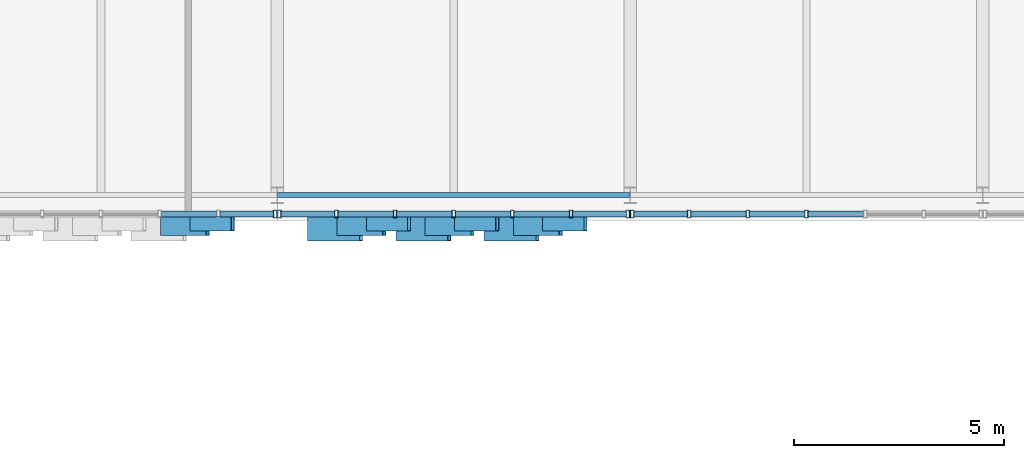
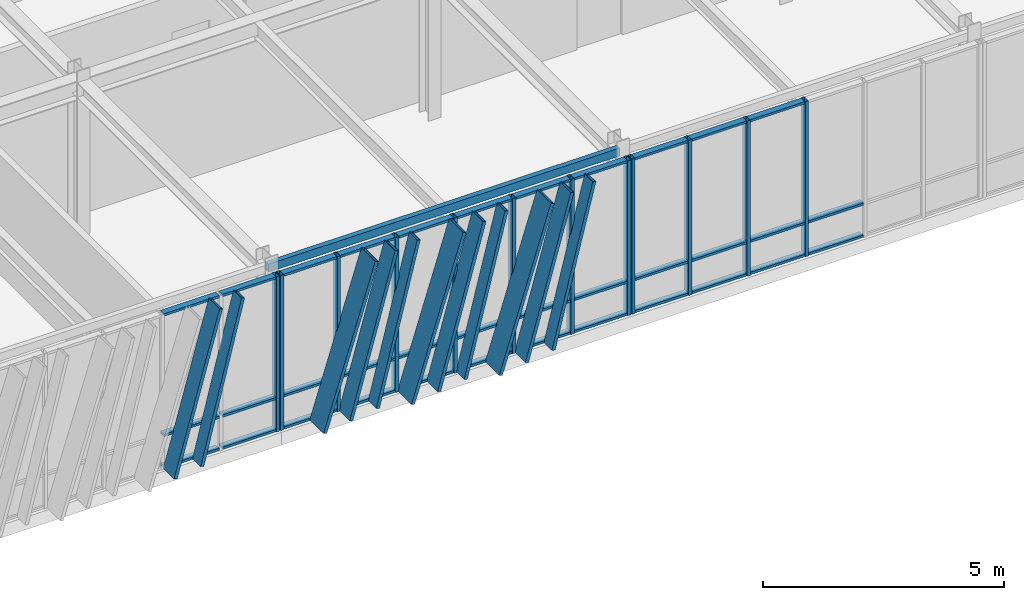
# One storey, part 24 of 127: 58 members, 1 beam, 3 elements without a shape of their own.
"""IFC4 building model written with IfcOpenShell, lengths in metres."""

from ifc_helpers import new_model, si_unit, direction, frame, origin, origin_2d, place, context, subcontext, project, spatial, hollow_rectangle, extrude, material, layer, layer_set, material_profile, profile_set, type_object, element, aggregate, save


model = new_model("IFC4")

# Units and contexts
model_context = context("Model", 3, precision=1e-05, world=origin(), true_north=direction((0.0, 1.0)))
body_context = subcontext(model_context, "Body", "Model", "MODEL_VIEW")
ifc_project = project(units=[si_unit("LENGTHUNIT", "METRE"), si_unit("AREAUNIT", "SQUARE_METRE"), si_unit("VOLUMEUNIT", "CUBIC_METRE"), si_unit("PLANEANGLEUNIT", "RADIAN"), si_unit("MASSUNIT", "GRAM", prefix="KILO")], contexts=[model_context])

# Site, building, storey
site_placement = place(None, origin())
site = spatial("IfcSite", under=ifc_project, at=site_placement, CompositionType="ELEMENT")
building_placement = place(site_placement, origin())
building = spatial("IfcBuilding", under=site, at=building_placement, Name="Zayran Congress Hotel", CompositionType="ELEMENT")
storey_placement = place(building_placement, frame((0.0, 0.0, 10.800048828125)))
storey = spatial("IfcBuildingStorey", under=building, at=storey_placement, Name="L02", CompositionType="ELEMENT", Elevation=10.800048828125)

# Beam
ifc_material_1 = material(Name="Steel S355", Category="steel")
ifc_material_profile_1 = material_profile(ifc_material_1, hollow_rectangle(XDim=0.1201171875, YDim=0.199951171875, WallThickness=0.008056640625, at=origin_2d()), Name="RHS 200x120x8")
ifc_profile_set_1 = profile_set([ifc_material_profile_1], Name="Steel S355")
beam_type = type_object("IfcBeamType", Name="TP-SP-02", PredefinedType="SPANDREL", material=ifc_profile_set_1)
beam_placement = place(storey_placement, frame((50.39990234375, 68.199951171875, 3.820068359375), z_axis=(1.0, 0.0, 0.0), x_axis=(0.0, 1.0, 0.0)))
element("IfcBeam", 1, at=beam_placement, inside=storey, type_object=beam_type, Name="BM-V1-L02-0657", PredefinedType="SPANDREL", context=body_context, shape_type="SweptSolid", body=[
    extrude(hollow_rectangle(XDim=0.1201171875, YDim=0.199951171875, WallThickness=0.008056640625, at=origin_2d()), origin(), (0.0, 0.0, 1.0), 8.400146484375),
])

# Curtain wall, member
ifc_material_2 = material(Name="Anodised aluminium and low-E insulated glass", Category="aluminium")
ifc_layer_1 = layer(ifc_material_2, 0.179931640625)
ifc_layer_set_1 = layer_set([ifc_layer_1], Name="Anodised aluminium and low-E insulated glass")
curtain_wall_type_1 = type_object("IfcCurtainWallType", Name="CW-V1S-L02-CW-12-8380-3920", PredefinedType="USERDEFINED", material=ifc_layer_set_1)
curtain_wall_1_placement = place(storey_placement, origin())
curtain_wall_1 = element("IfcCurtainWall", 2, at=curtain_wall_1_placement, inside=storey, type_object=curtain_wall_type_1, Name="CW-V1S-L02-4", ObjectType="CURTAIN WALL", PredefinedType="USERDEFINED")
ifc_material_3 = material(Name="Anodised aluminium framing", Category="aluminium")
ifc_material_profile_2 = material_profile(ifc_material_3, hollow_rectangle(XDim=0.080078125, YDim=0.179931640625, WallThickness=0.0048828125, at=origin_2d()), Name="RHS 180x80x5")
ifc_profile_set_2 = profile_set([ifc_material_profile_2], Name="Anodised aluminium framing")
member_type_1 = type_object("IfcMemberType", Name="TP-CWM-01", PredefinedType="MULLION", material=ifc_profile_set_2)
member_1_placement = place(storey_placement, frame((50.35009765625, 67.75, 0.0), z_axis=(0.0, 0.0, 1.0), x_axis=(1.0, 0.0, 0.0)))
member_1 = element("IfcMember", 3, at=member_1_placement, type_object=member_type_1, Name="CW-V1S-L02-4-M06", PredefinedType="MULLION", context=body_context, shape_type="SweptSolid", body=[
    extrude(hollow_rectangle(XDim=0.080078125, YDim=0.179931640625, WallThickness=0.0048828125, at=origin_2d()), origin(), (0.0, 0.0, 1.0), 3.919921875),
])

# Curtain wall, members
ifc_layer_2 = layer(ifc_material_2, 0.179931640625)
ifc_layer_set_2 = layer_set([ifc_layer_2], Name="Anodised aluminium and low-E insulated glass")
curtain_wall_type_2 = type_object("IfcCurtainWallType", Name="CW-V1S-L02-CW-13-8380-3920", PredefinedType="USERDEFINED", material=ifc_layer_set_2)
curtain_wall_2_placement = place(storey_placement, origin())
curtain_wall_2 = element("IfcCurtainWall", 4, at=curtain_wall_2_placement, inside=storey, type_object=curtain_wall_type_2, Name="CW-V1S-L02-5", ObjectType="CURTAIN WALL", PredefinedType="USERDEFINED")
member_2_placement = place(storey_placement, frame((50.449951171875, 67.75, 0.0), z_axis=(0.0, 0.0, 1.0), x_axis=(1.0, 0.0, 0.0)))
member_2 = element("IfcMember", 5, at=member_2_placement, type_object=member_type_1, Name="CW-V1S-L02-5-M00", PredefinedType="MULLION", context=body_context, shape_type="SweptSolid", body=[
    extrude(hollow_rectangle(XDim=0.080078125, YDim=0.179931640625, WallThickness=0.0048828125, at=origin_2d()), origin(), (0.0, 0.0, 1.0), 3.919921875),
])
member_3_placement = place(storey_placement, frame((51.806640625, 67.75, 0.0), z_axis=(0.0, 0.0, 1.0), x_axis=(1.0, 0.0, 0.0)))
member_3 = element("IfcMember", 6, at=member_3_placement, type_object=member_type_1, Name="CW-V1S-L02-5-M01", PredefinedType="MULLION", context=body_context, shape_type="SweptSolid", body=[
    extrude(hollow_rectangle(XDim=0.080078125, YDim=0.179931640625, WallThickness=0.0048828125, at=origin_2d()), origin(), (0.0, 0.0, 1.0), 3.919921875),
])
member_4_placement = place(storey_placement, frame((53.203369140625, 67.75, 0.0), z_axis=(0.0, 0.0, 1.0), x_axis=(1.0, 0.0, 0.0)))
member_4 = element("IfcMember", 7, at=member_4_placement, type_object=member_type_1, Name="CW-V1S-L02-5-M02", PredefinedType="MULLION", context=body_context, shape_type="SweptSolid", body=[
    extrude(hollow_rectangle(XDim=0.080078125, YDim=0.179931640625, WallThickness=0.0048828125, at=origin_2d()), origin(), (0.0, 0.0, 1.0), 3.919921875),
])
member_5_placement = place(storey_placement, frame((54.60009765625, 67.75, 0.0), z_axis=(0.0, 0.0, 1.0), x_axis=(1.0, 0.0, 0.0)))
member_5 = element("IfcMember", 8, at=member_5_placement, type_object=member_type_1, Name="CW-V1S-L02-5-M03", PredefinedType="MULLION", context=body_context, shape_type="SweptSolid", body=[
    extrude(hollow_rectangle(XDim=0.080078125, YDim=0.179931640625, WallThickness=0.0048828125, at=origin_2d()), origin(), (0.0, 0.0, 1.0), 3.919921875),
])
member_6_placement = place(storey_placement, frame((55.99658203125, 67.75, 0.0), z_axis=(0.0, 0.0, 1.0), x_axis=(1.0, 0.0, 0.0)))
member_6 = element("IfcMember", 9, at=member_6_placement, type_object=member_type_1, Name="CW-V1S-L02-5-M04", PredefinedType="MULLION", context=body_context, shape_type="SweptSolid", body=[
    extrude(hollow_rectangle(XDim=0.080078125, YDim=0.179931640625, WallThickness=0.0048828125, at=origin_2d()), origin(), (0.0, 0.0, 1.0), 3.919921875),
])
member_7_placement = place(storey_placement, frame((57.393310546875, 67.75, 0.0), z_axis=(0.0, 0.0, 1.0), x_axis=(1.0, 0.0, 0.0)))
member_7 = element("IfcMember", 10, at=member_7_placement, type_object=member_type_1, Name="CW-V1S-L02-5-M05", PredefinedType="MULLION", context=body_context, shape_type="SweptSolid", body=[
    extrude(hollow_rectangle(XDim=0.080078125, YDim=0.179931640625, WallThickness=0.0048828125, at=origin_2d()), origin(), (0.0, 0.0, 1.0), 3.919921875),
])
member_8_placement = place(storey_placement, frame((58.75, 67.75, 0.0), z_axis=(0.0, 0.0, 1.0), x_axis=(1.0, 0.0, 0.0)))
member_8 = element("IfcMember", 11, at=member_8_placement, type_object=member_type_1, Name="CW-V1S-L02-5-M06", PredefinedType="MULLION", context=body_context, shape_type="SweptSolid", body=[
    extrude(hollow_rectangle(XDim=0.080078125, YDim=0.179931640625, WallThickness=0.0048828125, at=origin_2d()), origin(), (0.0, 0.0, 1.0), 3.919921875),
])

ifc_layer_3 = layer(ifc_material_2, 0.179931640625)
ifc_layer_set_3 = layer_set([ifc_layer_3], Name="Anodised aluminium and low-E insulated glass")
curtain_wall_type_3 = type_object("IfcCurtainWallType", Name="CW-V1S-L02-CW-11-8380-3920", PredefinedType="USERDEFINED", material=ifc_layer_set_3)
curtain_wall_3_placement = place(storey_placement, origin())
curtain_wall_3 = element("IfcCurtainWall", 12, at=curtain_wall_3_placement, inside=storey, type_object=curtain_wall_type_3, Name="CW-V1S-L02-6", ObjectType="CURTAIN WALL", PredefinedType="USERDEFINED")
member_9_placement = place(storey_placement, frame((58.85009765625, 67.75, 0.0), z_axis=(0.0, 0.0, 1.0), x_axis=(1.0, 0.0, 0.0)))
member_9 = element("IfcMember", 13, at=member_9_placement, type_object=member_type_1, Name="CW-V1S-L02-6-M00", PredefinedType="MULLION", context=body_context, shape_type="SweptSolid", body=[
    extrude(hollow_rectangle(XDim=0.080078125, YDim=0.179931640625, WallThickness=0.0048828125, at=origin_2d()), origin(), (0.0, 0.0, 1.0), 3.919921875),
])
member_10_placement = place(storey_placement, frame((60.206787109375, 67.75, 0.0), z_axis=(0.0, 0.0, 1.0), x_axis=(1.0, 0.0, 0.0)))
member_10 = element("IfcMember", 14, at=member_10_placement, type_object=member_type_1, Name="CW-V1S-L02-6-M01", PredefinedType="MULLION", context=body_context, shape_type="SweptSolid", body=[
    extrude(hollow_rectangle(XDim=0.080078125, YDim=0.179931640625, WallThickness=0.0048828125, at=origin_2d()), origin(), (0.0, 0.0, 1.0), 3.919921875),
])
member_11_placement = place(storey_placement, frame((61.603271484375, 67.75, 0.0), z_axis=(0.0, 0.0, 1.0), x_axis=(1.0, 0.0, 0.0)))
member_11 = element("IfcMember", 15, at=member_11_placement, type_object=member_type_1, Name="CW-V1S-L02-6-M02", PredefinedType="MULLION", context=body_context, shape_type="SweptSolid", body=[
    extrude(hollow_rectangle(XDim=0.080078125, YDim=0.179931640625, WallThickness=0.0048828125, at=origin_2d()), origin(), (0.0, 0.0, 1.0), 3.919921875),
])
member_12_placement = place(storey_placement, frame((63.0, 67.75, 0.0), z_axis=(0.0, 0.0, 1.0), x_axis=(1.0, 0.0, 0.0)))
member_12 = element("IfcMember", 16, at=member_12_placement, type_object=member_type_1, Name="CW-V1S-L02-6-M03", PredefinedType="MULLION", context=body_context, shape_type="SweptSolid", body=[
    extrude(hollow_rectangle(XDim=0.080078125, YDim=0.179931640625, WallThickness=0.0048828125, at=origin_2d()), origin(), (0.0, 0.0, 1.0), 3.919921875),
])

# Member
ifc_material_profile_3 = material_profile(ifc_material_3, hollow_rectangle(XDim=0.06005859375, YDim=0.14990234375, WallThickness=0.00390625, at=origin_2d()), Name="RHS 150x60x4")
ifc_profile_set_3 = profile_set([ifc_material_profile_3], Name="Anodised aluminium framing")
member_type_2 = type_object("IfcMemberType", Name="TP-CWT-01", PredefinedType="USERDEFINED", material=ifc_profile_set_3)
member_13_placement = place(storey_placement, frame((47.63671875, 67.75, 0.030029296875), z_axis=(1.0, 0.0, 0.0), x_axis=(0.0, 0.0, 1.0)))
member_13 = element("IfcMember", 17, at=member_13_placement, type_object=member_type_2, Name="CW-V1S-L02-4-T04-0", ObjectType="TRANSOM", PredefinedType="USERDEFINED", context=body_context, shape_type="SweptSolid", body=[
    extrude(hollow_rectangle(XDim=0.06005859375, YDim=0.14990234375, WallThickness=0.00390625, at=origin_2d()), origin(), (0.0, 0.0, 1.0), 1.316650390625),
])

member_14_placement = place(storey_placement, frame((47.63671875, 67.75, 0.83984375), z_axis=(1.0, 0.0, 0.0), x_axis=(0.0, 0.0, 1.0)))
member_14 = element("IfcMember", 18, at=member_14_placement, type_object=member_type_2, Name="CW-V1S-L02-4-T04-1", ObjectType="TRANSOM", PredefinedType="USERDEFINED", context=body_context, shape_type="SweptSolid", body=[
    extrude(hollow_rectangle(XDim=0.06005859375, YDim=0.14990234375, WallThickness=0.00390625, at=origin_2d()), origin(), (0.0, 0.0, 1.0), 1.316650390625),
])

member_15_placement = place(storey_placement, frame((47.63671875, 67.75, 3.889892578125), z_axis=(1.0, 0.0, 0.0), x_axis=(0.0, 0.0, 1.0)))
member_15 = element("IfcMember", 19, at=member_15_placement, type_object=member_type_2, Name="CW-V1S-L02-4-T04-2", ObjectType="TRANSOM", PredefinedType="USERDEFINED", context=body_context, shape_type="SweptSolid", body=[
    extrude(hollow_rectangle(XDim=0.06005859375, YDim=0.14990234375, WallThickness=0.00390625, at=origin_2d()), origin(), (0.0, 0.0, 1.0), 1.316650390625),
])

member_16_placement = place(storey_placement, frame((49.033203125, 67.75, 0.030029296875), z_axis=(1.0, 0.0, 0.0), x_axis=(0.0, 0.0, 1.0)))
member_16 = element("IfcMember", 20, at=member_16_placement, type_object=member_type_2, Name="CW-V1S-L02-4-T05-0", ObjectType="TRANSOM", PredefinedType="USERDEFINED", context=body_context, shape_type="SweptSolid", body=[
    extrude(hollow_rectangle(XDim=0.06005859375, YDim=0.14990234375, WallThickness=0.00390625, at=origin_2d()), origin(), (0.0, 0.0, 1.0), 1.27685546875),
])

member_17_placement = place(storey_placement, frame((49.033203125, 67.75, 0.83984375), z_axis=(1.0, 0.0, 0.0), x_axis=(0.0, 0.0, 1.0)))
member_17 = element("IfcMember", 21, at=member_17_placement, type_object=member_type_2, Name="CW-V1S-L02-4-T05-1", ObjectType="TRANSOM", PredefinedType="USERDEFINED", context=body_context, shape_type="SweptSolid", body=[
    extrude(hollow_rectangle(XDim=0.06005859375, YDim=0.14990234375, WallThickness=0.00390625, at=origin_2d()), origin(), (0.0, 0.0, 1.0), 1.27685546875),
])

member_18_placement = place(storey_placement, frame((49.033203125, 67.75, 3.889892578125), z_axis=(1.0, 0.0, 0.0), x_axis=(0.0, 0.0, 1.0)))
member_18 = element("IfcMember", 22, at=member_18_placement, type_object=member_type_2, Name="CW-V1S-L02-4-T05-2", ObjectType="TRANSOM", PredefinedType="USERDEFINED", context=body_context, shape_type="SweptSolid", body=[
    extrude(hollow_rectangle(XDim=0.06005859375, YDim=0.14990234375, WallThickness=0.00390625, at=origin_2d()), origin(), (0.0, 0.0, 1.0), 1.27685546875),
])

member_19_placement = place(storey_placement, frame((50.489990234375, 67.75, 0.030029296875), z_axis=(1.0, 0.0, 0.0), x_axis=(0.0, 0.0, 1.0)))
member_19 = element("IfcMember", 23, at=member_19_placement, type_object=member_type_2, Name="CW-V1S-L02-5-T00-0", ObjectType="TRANSOM", PredefinedType="USERDEFINED", context=body_context, shape_type="SweptSolid", body=[
    extrude(hollow_rectangle(XDim=0.06005859375, YDim=0.14990234375, WallThickness=0.00390625, at=origin_2d()), origin(), (0.0, 0.0, 1.0), 1.276611328125),
])

member_20_placement = place(storey_placement, frame((50.489990234375, 67.75, 0.83984375), z_axis=(1.0, 0.0, 0.0), x_axis=(0.0, 0.0, 1.0)))
member_20 = element("IfcMember", 24, at=member_20_placement, type_object=member_type_2, Name="CW-V1S-L02-5-T00-1", ObjectType="TRANSOM", PredefinedType="USERDEFINED", context=body_context, shape_type="SweptSolid", body=[
    extrude(hollow_rectangle(XDim=0.06005859375, YDim=0.14990234375, WallThickness=0.00390625, at=origin_2d()), origin(), (0.0, 0.0, 1.0), 1.276611328125),
])

member_21_placement = place(storey_placement, frame((50.489990234375, 67.75, 3.889892578125), z_axis=(1.0, 0.0, 0.0), x_axis=(0.0, 0.0, 1.0)))
member_21 = element("IfcMember", 25, at=member_21_placement, type_object=member_type_2, Name="CW-V1S-L02-5-T00-2", ObjectType="TRANSOM", PredefinedType="USERDEFINED", context=body_context, shape_type="SweptSolid", body=[
    extrude(hollow_rectangle(XDim=0.06005859375, YDim=0.14990234375, WallThickness=0.00390625, at=origin_2d()), origin(), (0.0, 0.0, 1.0), 1.276611328125),
])

member_22_placement = place(storey_placement, frame((51.8466796875, 67.75, 0.030029296875), z_axis=(1.0, 0.0, 0.0), x_axis=(0.0, 0.0, 1.0)))
member_22 = element("IfcMember", 26, at=member_22_placement, type_object=member_type_2, Name="CW-V1S-L02-5-T01-0", ObjectType="TRANSOM", PredefinedType="USERDEFINED", context=body_context, shape_type="SweptSolid", body=[
    extrude(hollow_rectangle(XDim=0.06005859375, YDim=0.14990234375, WallThickness=0.00390625, at=origin_2d()), origin(), (0.0, 0.0, 1.0), 1.316650390625),
])

member_23_placement = place(storey_placement, frame((51.8466796875, 67.75, 0.83984375), z_axis=(1.0, 0.0, 0.0), x_axis=(0.0, 0.0, 1.0)))
member_23 = element("IfcMember", 27, at=member_23_placement, type_object=member_type_2, Name="CW-V1S-L02-5-T01-1", ObjectType="TRANSOM", PredefinedType="USERDEFINED", context=body_context, shape_type="SweptSolid", body=[
    extrude(hollow_rectangle(XDim=0.06005859375, YDim=0.14990234375, WallThickness=0.00390625, at=origin_2d()), origin(), (0.0, 0.0, 1.0), 1.316650390625),
])

member_24_placement = place(storey_placement, frame((51.8466796875, 67.75, 3.889892578125), z_axis=(1.0, 0.0, 0.0), x_axis=(0.0, 0.0, 1.0)))
member_24 = element("IfcMember", 28, at=member_24_placement, type_object=member_type_2, Name="CW-V1S-L02-5-T01-2", ObjectType="TRANSOM", PredefinedType="USERDEFINED", context=body_context, shape_type="SweptSolid", body=[
    extrude(hollow_rectangle(XDim=0.06005859375, YDim=0.14990234375, WallThickness=0.00390625, at=origin_2d()), origin(), (0.0, 0.0, 1.0), 1.316650390625),
])

member_25_placement = place(storey_placement, frame((53.243408203125, 67.75, 0.030029296875), z_axis=(1.0, 0.0, 0.0), x_axis=(0.0, 0.0, 1.0)))
member_25 = element("IfcMember", 29, at=member_25_placement, type_object=member_type_2, Name="CW-V1S-L02-5-T02-0", ObjectType="TRANSOM", PredefinedType="USERDEFINED", context=body_context, shape_type="SweptSolid", body=[
    extrude(hollow_rectangle(XDim=0.06005859375, YDim=0.14990234375, WallThickness=0.00390625, at=origin_2d()), origin(), (0.0, 0.0, 1.0), 1.316650390625),
])

member_26_placement = place(storey_placement, frame((53.243408203125, 67.75, 0.83984375), z_axis=(1.0, 0.0, 0.0), x_axis=(0.0, 0.0, 1.0)))
member_26 = element("IfcMember", 30, at=member_26_placement, type_object=member_type_2, Name="CW-V1S-L02-5-T02-1", ObjectType="TRANSOM", PredefinedType="USERDEFINED", context=body_context, shape_type="SweptSolid", body=[
    extrude(hollow_rectangle(XDim=0.06005859375, YDim=0.14990234375, WallThickness=0.00390625, at=origin_2d()), origin(), (0.0, 0.0, 1.0), 1.316650390625),
])

member_27_placement = place(storey_placement, frame((53.243408203125, 67.75, 3.889892578125), z_axis=(1.0, 0.0, 0.0), x_axis=(0.0, 0.0, 1.0)))
member_27 = element("IfcMember", 31, at=member_27_placement, type_object=member_type_2, Name="CW-V1S-L02-5-T02-2", ObjectType="TRANSOM", PredefinedType="USERDEFINED", context=body_context, shape_type="SweptSolid", body=[
    extrude(hollow_rectangle(XDim=0.06005859375, YDim=0.14990234375, WallThickness=0.00390625, at=origin_2d()), origin(), (0.0, 0.0, 1.0), 1.316650390625),
])

member_28_placement = place(storey_placement, frame((54.639892578125, 67.75, 0.030029296875), z_axis=(1.0, 0.0, 0.0), x_axis=(0.0, 0.0, 1.0)))
member_28 = element("IfcMember", 32, at=member_28_placement, type_object=member_type_2, Name="CW-V1S-L02-5-T03-0", ObjectType="TRANSOM", PredefinedType="USERDEFINED", context=body_context, shape_type="SweptSolid", body=[
    extrude(hollow_rectangle(XDim=0.06005859375, YDim=0.14990234375, WallThickness=0.00390625, at=origin_2d()), origin(), (0.0, 0.0, 1.0), 1.31689453125),
])

member_29_placement = place(storey_placement, frame((54.639892578125, 67.75, 0.83984375), z_axis=(1.0, 0.0, 0.0), x_axis=(0.0, 0.0, 1.0)))
member_29 = element("IfcMember", 33, at=member_29_placement, type_object=member_type_2, Name="CW-V1S-L02-5-T03-1", ObjectType="TRANSOM", PredefinedType="USERDEFINED", context=body_context, shape_type="SweptSolid", body=[
    extrude(hollow_rectangle(XDim=0.06005859375, YDim=0.14990234375, WallThickness=0.00390625, at=origin_2d()), origin(), (0.0, 0.0, 1.0), 1.31689453125),
])

member_30_placement = place(storey_placement, frame((54.639892578125, 67.75, 3.889892578125), z_axis=(1.0, 0.0, 0.0), x_axis=(0.0, 0.0, 1.0)))
member_30 = element("IfcMember", 34, at=member_30_placement, type_object=member_type_2, Name="CW-V1S-L02-5-T03-2", ObjectType="TRANSOM", PredefinedType="USERDEFINED", context=body_context, shape_type="SweptSolid", body=[
    extrude(hollow_rectangle(XDim=0.06005859375, YDim=0.14990234375, WallThickness=0.00390625, at=origin_2d()), origin(), (0.0, 0.0, 1.0), 1.31689453125),
])

member_31_placement = place(storey_placement, frame((56.03662109375, 67.75, 0.030029296875), z_axis=(1.0, 0.0, 0.0), x_axis=(0.0, 0.0, 1.0)))
member_31 = element("IfcMember", 35, at=member_31_placement, type_object=member_type_2, Name="CW-V1S-L02-5-T04-0", ObjectType="TRANSOM", PredefinedType="USERDEFINED", context=body_context, shape_type="SweptSolid", body=[
    extrude(hollow_rectangle(XDim=0.06005859375, YDim=0.14990234375, WallThickness=0.00390625, at=origin_2d()), origin(), (0.0, 0.0, 1.0), 1.316650390625),
])

member_32_placement = place(storey_placement, frame((56.03662109375, 67.75, 0.83984375), z_axis=(1.0, 0.0, 0.0), x_axis=(0.0, 0.0, 1.0)))
member_32 = element("IfcMember", 36, at=member_32_placement, type_object=member_type_2, Name="CW-V1S-L02-5-T04-1", ObjectType="TRANSOM", PredefinedType="USERDEFINED", context=body_context, shape_type="SweptSolid", body=[
    extrude(hollow_rectangle(XDim=0.06005859375, YDim=0.14990234375, WallThickness=0.00390625, at=origin_2d()), origin(), (0.0, 0.0, 1.0), 1.316650390625),
])

member_33_placement = place(storey_placement, frame((56.03662109375, 67.75, 3.889892578125), z_axis=(1.0, 0.0, 0.0), x_axis=(0.0, 0.0, 1.0)))
member_33 = element("IfcMember", 37, at=member_33_placement, type_object=member_type_2, Name="CW-V1S-L02-5-T04-2", ObjectType="TRANSOM", PredefinedType="USERDEFINED", context=body_context, shape_type="SweptSolid", body=[
    extrude(hollow_rectangle(XDim=0.06005859375, YDim=0.14990234375, WallThickness=0.00390625, at=origin_2d()), origin(), (0.0, 0.0, 1.0), 1.316650390625),
])

member_34_placement = place(storey_placement, frame((57.433349609375, 67.75, 0.030029296875), z_axis=(1.0, 0.0, 0.0), x_axis=(0.0, 0.0, 1.0)))
member_34 = element("IfcMember", 38, at=member_34_placement, type_object=member_type_2, Name="CW-V1S-L02-5-T05-0", ObjectType="TRANSOM", PredefinedType="USERDEFINED", context=body_context, shape_type="SweptSolid", body=[
    extrude(hollow_rectangle(XDim=0.06005859375, YDim=0.14990234375, WallThickness=0.00390625, at=origin_2d()), origin(), (0.0, 0.0, 1.0), 1.276611328125),
])

member_35_placement = place(storey_placement, frame((57.433349609375, 67.75, 0.83984375), z_axis=(1.0, 0.0, 0.0), x_axis=(0.0, 0.0, 1.0)))
member_35 = element("IfcMember", 39, at=member_35_placement, type_object=member_type_2, Name="CW-V1S-L02-5-T05-1", ObjectType="TRANSOM", PredefinedType="USERDEFINED", context=body_context, shape_type="SweptSolid", body=[
    extrude(hollow_rectangle(XDim=0.06005859375, YDim=0.14990234375, WallThickness=0.00390625, at=origin_2d()), origin(), (0.0, 0.0, 1.0), 1.276611328125),
])

member_36_placement = place(storey_placement, frame((57.433349609375, 67.75, 3.889892578125), z_axis=(1.0, 0.0, 0.0), x_axis=(0.0, 0.0, 1.0)))
member_36 = element("IfcMember", 40, at=member_36_placement, type_object=member_type_2, Name="CW-V1S-L02-5-T05-2", ObjectType="TRANSOM", PredefinedType="USERDEFINED", context=body_context, shape_type="SweptSolid", body=[
    extrude(hollow_rectangle(XDim=0.06005859375, YDim=0.14990234375, WallThickness=0.00390625, at=origin_2d()), origin(), (0.0, 0.0, 1.0), 1.276611328125),
])

member_37_placement = place(storey_placement, frame((58.889892578125, 67.75, 0.030029296875), z_axis=(1.0, 0.0, 0.0), x_axis=(0.0, 0.0, 1.0)))
member_37 = element("IfcMember", 41, at=member_37_placement, type_object=member_type_2, Name="CW-V1S-L02-6-T00-0", ObjectType="TRANSOM", PredefinedType="USERDEFINED", context=body_context, shape_type="SweptSolid", body=[
    extrude(hollow_rectangle(XDim=0.06005859375, YDim=0.14990234375, WallThickness=0.00390625, at=origin_2d()), origin(), (0.0, 0.0, 1.0), 1.27685546875),
])

member_38_placement = place(storey_placement, frame((58.889892578125, 67.75, 0.83984375), z_axis=(1.0, 0.0, 0.0), x_axis=(0.0, 0.0, 1.0)))
member_38 = element("IfcMember", 42, at=member_38_placement, type_object=member_type_2, Name="CW-V1S-L02-6-T00-1", ObjectType="TRANSOM", PredefinedType="USERDEFINED", context=body_context, shape_type="SweptSolid", body=[
    extrude(hollow_rectangle(XDim=0.06005859375, YDim=0.14990234375, WallThickness=0.00390625, at=origin_2d()), origin(), (0.0, 0.0, 1.0), 1.27685546875),
])

member_39_placement = place(storey_placement, frame((58.889892578125, 67.75, 3.889892578125), z_axis=(1.0, 0.0, 0.0), x_axis=(0.0, 0.0, 1.0)))
member_39 = element("IfcMember", 43, at=member_39_placement, type_object=member_type_2, Name="CW-V1S-L02-6-T00-2", ObjectType="TRANSOM", PredefinedType="USERDEFINED", context=body_context, shape_type="SweptSolid", body=[
    extrude(hollow_rectangle(XDim=0.06005859375, YDim=0.14990234375, WallThickness=0.00390625, at=origin_2d()), origin(), (0.0, 0.0, 1.0), 1.27685546875),
])

member_40_placement = place(storey_placement, frame((60.24658203125, 67.75, 0.030029296875), z_axis=(1.0, 0.0, 0.0), x_axis=(0.0, 0.0, 1.0)))
member_40 = element("IfcMember", 44, at=member_40_placement, type_object=member_type_2, Name="CW-V1S-L02-6-T01-0", ObjectType="TRANSOM", PredefinedType="USERDEFINED", context=body_context, shape_type="SweptSolid", body=[
    extrude(hollow_rectangle(XDim=0.06005859375, YDim=0.14990234375, WallThickness=0.00390625, at=origin_2d()), origin(), (0.0, 0.0, 1.0), 1.316650390625),
])

member_41_placement = place(storey_placement, frame((60.24658203125, 67.75, 0.83984375), z_axis=(1.0, 0.0, 0.0), x_axis=(0.0, 0.0, 1.0)))
member_41 = element("IfcMember", 45, at=member_41_placement, type_object=member_type_2, Name="CW-V1S-L02-6-T01-1", ObjectType="TRANSOM", PredefinedType="USERDEFINED", context=body_context, shape_type="SweptSolid", body=[
    extrude(hollow_rectangle(XDim=0.06005859375, YDim=0.14990234375, WallThickness=0.00390625, at=origin_2d()), origin(), (0.0, 0.0, 1.0), 1.316650390625),
])

member_42_placement = place(storey_placement, frame((60.24658203125, 67.75, 3.889892578125), z_axis=(1.0, 0.0, 0.0), x_axis=(0.0, 0.0, 1.0)))
member_42 = element("IfcMember", 46, at=member_42_placement, type_object=member_type_2, Name="CW-V1S-L02-6-T01-2", ObjectType="TRANSOM", PredefinedType="USERDEFINED", context=body_context, shape_type="SweptSolid", body=[
    extrude(hollow_rectangle(XDim=0.06005859375, YDim=0.14990234375, WallThickness=0.00390625, at=origin_2d()), origin(), (0.0, 0.0, 1.0), 1.316650390625),
])

member_43_placement = place(storey_placement, frame((61.643310546875, 67.75, 0.030029296875), z_axis=(1.0, 0.0, 0.0), x_axis=(0.0, 0.0, 1.0)))
member_43 = element("IfcMember", 47, at=member_43_placement, type_object=member_type_2, Name="CW-V1S-L02-6-T02-0", ObjectType="TRANSOM", PredefinedType="USERDEFINED", context=body_context, shape_type="SweptSolid", body=[
    extrude(hollow_rectangle(XDim=0.06005859375, YDim=0.14990234375, WallThickness=0.00390625, at=origin_2d()), origin(), (0.0, 0.0, 1.0), 1.316650390625),
])

member_44_placement = place(storey_placement, frame((61.643310546875, 67.75, 0.83984375), z_axis=(1.0, 0.0, 0.0), x_axis=(0.0, 0.0, 1.0)))
member_44 = element("IfcMember", 48, at=member_44_placement, type_object=member_type_2, Name="CW-V1S-L02-6-T02-1", ObjectType="TRANSOM", PredefinedType="USERDEFINED", context=body_context, shape_type="SweptSolid", body=[
    extrude(hollow_rectangle(XDim=0.06005859375, YDim=0.14990234375, WallThickness=0.00390625, at=origin_2d()), origin(), (0.0, 0.0, 1.0), 1.316650390625),
])

member_45_placement = place(storey_placement, frame((61.643310546875, 67.75, 3.889892578125), z_axis=(1.0, 0.0, 0.0), x_axis=(0.0, 0.0, 1.0)))
member_45 = element("IfcMember", 49, at=member_45_placement, type_object=member_type_2, Name="CW-V1S-L02-6-T02-2", ObjectType="TRANSOM", PredefinedType="USERDEFINED", context=body_context, shape_type="SweptSolid", body=[
    extrude(hollow_rectangle(XDim=0.06005859375, YDim=0.14990234375, WallThickness=0.00390625, at=origin_2d()), origin(), (0.0, 0.0, 1.0), 1.316650390625),
])

member_46_placement = place(storey_placement, frame((63.0400390625, 67.75, 0.030029296875), z_axis=(1.0, 0.0, 0.0), x_axis=(0.0, 0.0, 1.0)))
member_46 = element("IfcMember", 50, at=member_46_placement, type_object=member_type_2, Name="CW-V1S-L02-6-T03-0", ObjectType="TRANSOM", PredefinedType="USERDEFINED", context=body_context, shape_type="SweptSolid", body=[
    extrude(hollow_rectangle(XDim=0.06005859375, YDim=0.14990234375, WallThickness=0.00390625, at=origin_2d()), origin(), (0.0, 0.0, 1.0), 1.316650390625),
])

member_47_placement = place(storey_placement, frame((63.0400390625, 67.75, 0.83984375), z_axis=(1.0, 0.0, 0.0), x_axis=(0.0, 0.0, 1.0)))
member_47 = element("IfcMember", 51, at=member_47_placement, type_object=member_type_2, Name="CW-V1S-L02-6-T03-1", ObjectType="TRANSOM", PredefinedType="USERDEFINED", context=body_context, shape_type="SweptSolid", body=[
    extrude(hollow_rectangle(XDim=0.06005859375, YDim=0.14990234375, WallThickness=0.00390625, at=origin_2d()), origin(), (0.0, 0.0, 1.0), 1.316650390625),
])

aggregate(curtain_wall_3, [member_9, member_10, member_11, member_12, member_37, member_38, member_39, member_40, member_41, member_42, member_43, member_44, member_45, member_46, member_47])

ifc_material_4 = material(Name="Warm bronze anodised aluminium", Category="aluminium")
ifc_material_profile_4 = material_profile(ifc_material_4, hollow_rectangle(XDim=0.080078125, YDim=0.580078125, WallThickness=0.006103515625, at=origin_2d()), Name="RHS 580x80x6")
ifc_profile_set_4 = profile_set([ifc_material_profile_4], Name="Warm bronze anodised aluminium")
member_type_3 = type_object("IfcMemberType", Name="TP-RFN-01", PredefinedType="MULLION", material=ifc_profile_set_4)
member_48_placement = place(storey_placement, frame((51.159912109375, 67.39990234375, 0.0), z_axis=(0.300736197829, 0.0, 0.953707365661), x_axis=(-0.953707365661, 0.0, 0.300736197829)))
member_48 = element("IfcMember", 52, at=member_48_placement, type_object=member_type_3, Name="Slanting Reed Mullion CW-13-01", PredefinedType="MULLION", context=body_context, shape_type="SweptSolid", body=[
    extrude(hollow_rectangle(XDim=0.080078125, YDim=0.580078125, WallThickness=0.006103515625, at=origin_2d()), origin(), (0.0, 0.0, 1.0), 4.110107421875),
])

member_49_placement = place(storey_placement, frame((53.260009765625, 67.39990234375, 0.0), z_axis=(0.300736197829, 0.0, 0.953707365661), x_axis=(-0.953707365661, 0.0, 0.300736197829)))
member_49 = element("IfcMember", 53, at=member_49_placement, type_object=member_type_3, Name="Slanting Reed Mullion CW-13-04", PredefinedType="MULLION", context=body_context, shape_type="SweptSolid", body=[
    extrude(hollow_rectangle(XDim=0.080078125, YDim=0.580078125, WallThickness=0.006103515625, at=origin_2d()), origin(), (0.0, 0.0, 1.0), 4.110107421875),
])

member_50_placement = place(storey_placement, frame((55.360107421875, 67.39990234375, 0.0), z_axis=(0.30068216973, 0.0, 0.953724400866), x_axis=(-0.953724400866, 0.0, 0.30068216973)))
member_50 = element("IfcMember", 54, at=member_50_placement, type_object=member_type_3, Name="Slanting Reed Mullion CW-13-07", PredefinedType="MULLION", context=body_context, shape_type="SweptSolid", body=[
    extrude(hollow_rectangle(XDim=0.080078125, YDim=0.580078125, WallThickness=0.006103515625, at=origin_2d()), origin(), (0.0, 0.0, 1.0), 4.110107421875),
])

ifc_material_profile_5 = material_profile(ifc_material_4, hollow_rectangle(XDim=0.080078125, YDim=0.449951171875, WallThickness=0.006103515625, at=origin_2d()), Name="RHS 450x80x6")
ifc_profile_set_5 = profile_set([ifc_material_profile_5], Name="Warm bronze anodised aluminium")
member_type_4 = type_object("IfcMemberType", Name="TP-RFN-02", PredefinedType="MULLION", material=ifc_profile_set_5)
member_51_placement = place(storey_placement, frame((47.659912109375, 67.465087890625, 0.0), z_axis=(0.267253820088, 0.0, 0.963626170072), x_axis=(-0.963626170072, 0.0, 0.267253820088)))
member_51 = element("IfcMember", 55, at=member_51_placement, type_object=member_type_4, Name="Slanting Reed Mullion CW-12-08", PredefinedType="MULLION", context=body_context, shape_type="SweptSolid", body=[
    extrude(hollow_rectangle(XDim=0.080078125, YDim=0.449951171875, WallThickness=0.006103515625, at=origin_2d()), origin(), (0.0, 0.0, 1.0), 4.06787109375),
])

member_52_placement = place(storey_placement, frame((51.860107421875, 67.465087890625, 0.0), z_axis=(0.26719808883, 0.0, 0.963641624944), x_axis=(-0.963641624944, 0.0, 0.26719808883)))
member_52 = element("IfcMember", 56, at=member_52_placement, type_object=member_type_4, Name="Slanting Reed Mullion CW-13-02", PredefinedType="MULLION", context=body_context, shape_type="SweptSolid", body=[
    extrude(hollow_rectangle(XDim=0.080078125, YDim=0.449951171875, WallThickness=0.006103515625, at=origin_2d()), origin(), (0.0, 0.0, 1.0), 4.06787109375),
])

member_53_placement = place(storey_placement, frame((53.9599609375, 67.465087890625, 0.0), z_axis=(0.267253820088, 0.0, 0.963626170072), x_axis=(-0.963626170072, 0.0, 0.267253820088)))
member_53 = element("IfcMember", 57, at=member_53_placement, type_object=member_type_4, Name="Slanting Reed Mullion CW-13-05", PredefinedType="MULLION", context=body_context, shape_type="SweptSolid", body=[
    extrude(hollow_rectangle(XDim=0.080078125, YDim=0.449951171875, WallThickness=0.006103515625, at=origin_2d()), origin(), (0.0, 0.0, 1.0), 4.06787109375),
])

member_54_placement = place(storey_placement, frame((56.06005859375, 67.465087890625, 0.0), z_axis=(0.267253820088, 0.0, 0.963626170072), x_axis=(-0.963626170072, 0.0, 0.267253820088)))
member_54 = element("IfcMember", 58, at=member_54_placement, type_object=member_type_4, Name="Slanting Reed Mullion CW-13-08", PredefinedType="MULLION", context=body_context, shape_type="SweptSolid", body=[
    extrude(hollow_rectangle(XDim=0.080078125, YDim=0.449951171875, WallThickness=0.006103515625, at=origin_2d()), origin(), (0.0, 0.0, 1.0), 4.06787109375),
])

ifc_material_profile_6 = material_profile(ifc_material_4, hollow_rectangle(XDim=0.080078125, YDim=0.340087890625, WallThickness=0.006103515625, at=origin_2d()), Name="RHS 340x80x6")
ifc_profile_set_6 = profile_set([ifc_material_profile_6], Name="Warm bronze anodised aluminium")
member_type_5 = type_object("IfcMemberType", Name="TP-RFN-03", PredefinedType="MULLION", material=ifc_profile_set_6)
member_55_placement = place(storey_placement, frame((48.360107421875, 67.52001953125, 0.0), z_axis=(0.241909924035, 0.0, 0.970298711044), x_axis=(-0.970298711044, 0.0, 0.241909924035)))
member_55 = element("IfcMember", 59, at=member_55_placement, type_object=member_type_5, Name="Slanting Reed Mullion CW-12-09", PredefinedType="MULLION", context=body_context, shape_type="SweptSolid", body=[
    extrude(hollow_rectangle(XDim=0.080078125, YDim=0.340087890625, WallThickness=0.006103515625, at=origin_2d()), origin(), (0.0, 0.0, 1.0), 4.039794921875),
])

aggregate(curtain_wall_1, [member_1, member_13, member_14, member_15, member_16, member_17, member_18, member_51, member_55])

member_56_placement = place(storey_placement, frame((52.56005859375, 67.52001953125, 0.0), z_axis=(0.241909924035, 0.0, 0.970298711044), x_axis=(-0.970298711044, 0.0, 0.241909924035)))
member_56 = element("IfcMember", 60, at=member_56_placement, type_object=member_type_5, Name="Slanting Reed Mullion CW-13-03", PredefinedType="MULLION", context=body_context, shape_type="SweptSolid", body=[
    extrude(hollow_rectangle(XDim=0.080078125, YDim=0.340087890625, WallThickness=0.006103515625, at=origin_2d()), origin(), (0.0, 0.0, 1.0), 4.039794921875),
])

member_57_placement = place(storey_placement, frame((54.659912109375, 67.52001953125, 0.0), z_axis=(0.24196681843, 0.0, 0.970284524652), x_axis=(-0.970284524652, 0.0, 0.24196681843)))
member_57 = element("IfcMember", 61, at=member_57_placement, type_object=member_type_5, Name="Slanting Reed Mullion CW-13-06", PredefinedType="MULLION", context=body_context, shape_type="SweptSolid", body=[
    extrude(hollow_rectangle(XDim=0.080078125, YDim=0.340087890625, WallThickness=0.006103515625, at=origin_2d()), origin(), (0.0, 0.0, 1.0), 4.0400390625),
])

member_58_placement = place(storey_placement, frame((56.760009765625, 67.52001953125, 0.0), z_axis=(0.241909924035, 0.0, 0.970298711044), x_axis=(-0.970298711044, 0.0, 0.241909924035)))
member_58 = element("IfcMember", 62, at=member_58_placement, type_object=member_type_5, Name="Slanting Reed Mullion CW-13-09", PredefinedType="MULLION", context=body_context, shape_type="SweptSolid", body=[
    extrude(hollow_rectangle(XDim=0.080078125, YDim=0.340087890625, WallThickness=0.006103515625, at=origin_2d()), origin(), (0.0, 0.0, 1.0), 4.039794921875),
])

aggregate(curtain_wall_2, [member_2, member_3, member_4, member_5, member_6, member_7, member_8, member_19, member_20, member_21, member_22, member_23, member_24, member_25, member_26, member_27, member_28, member_29, member_30, member_31, member_32, member_33, member_34, member_35, member_36, member_48, member_52, member_56, member_49, member_53, member_57, member_50, member_54, member_58])

save(model, "model.ifc")
